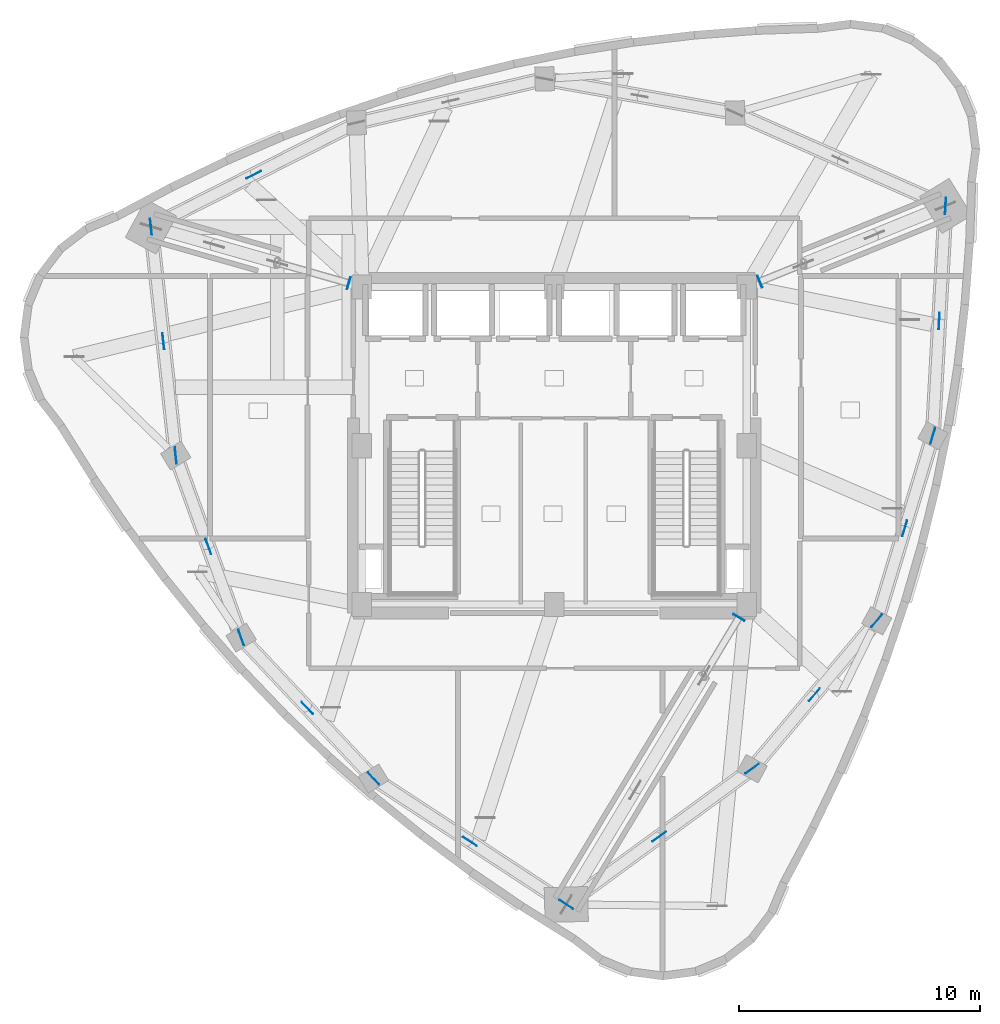
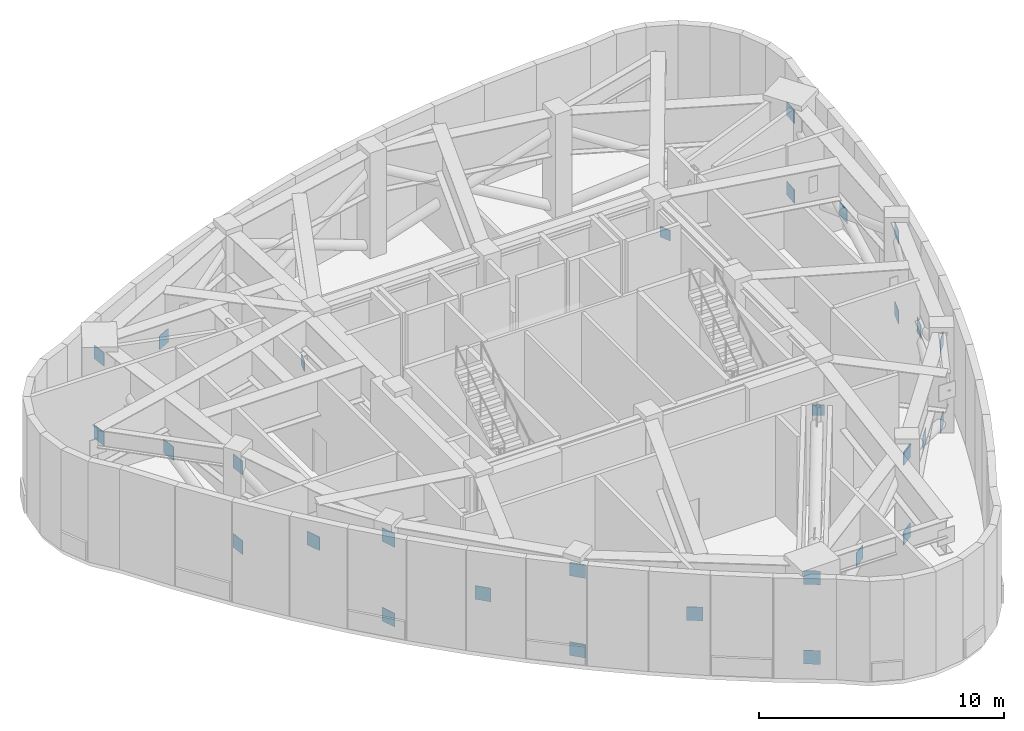
# One storey, part 4 of 10: 30 plates.
"""IFC4 building model written with IfcOpenShell, lengths in metres."""

from ifc_helpers import new_model, si_unit, direction, frame, origin, origin_2d, place, context, subcontext, project, spatial, rectangle, extrude, material, layer, layer_set, type_object, element, save


model = new_model("IFC4")

# Units and contexts
model_context = context("Model", 3, precision=1e-05, world=origin(), true_north=direction((0.0, 1.0)))
body_context = subcontext(model_context, "Body", "Model", "MODEL_VIEW")
ifc_project = project(units=[si_unit("LENGTHUNIT", "METRE"), si_unit("AREAUNIT", "SQUARE_METRE"), si_unit("VOLUMEUNIT", "CUBIC_METRE"), si_unit("PLANEANGLEUNIT", "RADIAN"), si_unit("MASSUNIT", "GRAM", prefix="KILO")], contexts=[model_context])

# Site, building, storey
site_placement = place(None, origin())
site = spatial("IfcSite", under=ifc_project, at=site_placement, CompositionType="ELEMENT")
building_placement = place(site_placement, origin())
building = spatial("IfcBuilding", under=site, at=building_placement, Name="Ndelora Gate Hotel", CompositionType="ELEMENT")
storey_placement = place(building_placement, frame((0.0, 0.0, 254.949951171875)))
storey = spatial("IfcBuildingStorey", under=building, at=storey_placement, Name="L64", CompositionType="ELEMENT", Elevation=254.949951171875)

# Plates
ifc_material = material(Name="Steel S460", Category="steel")
ifc_layer_1 = layer(ifc_material, 0.035888671875)
ifc_layer_set_1 = layer_set([ifc_layer_1], Name="Steel S460")
plate_type_1 = type_object("IfcPlateType", Name="PL-EMBED-EP1", PredefinedType="USERDEFINED", material=ifc_layer_set_1)
for number, where, z_axis, x_axis, name in (
    (1, (-8.5400390625, 6.754150390625, 2.14013671875), (0.0, 0.0, 1.0), (0.274462747688, 0.961597733011, 0.0), "L64 Core shear-wall cast-in embed plate EP1"),
    (2, (7.675048828125, -7.139892578125, 2.5400390625), (0.0, 0.0, 1.0), (-0.856807527438, 0.515636365015, 0.0), "L64 Core shear-wall cast-in embed plate EP1"),
    (3, (8.5400390625, 6.81982421875, 2.5400390625), (0.0, 0.0, 1.0), (-0.377194315187, 0.926134141791, 0.0), "L64 Core shear-wall cast-in embed plate EP1"),
):
    element("IfcPlate", number, at=place(storey_placement, frame(where, z_axis=z_axis, x_axis=x_axis)), inside=storey, type_object=plate_type_1, Name=name, ObjectType="BASE_PLATE", PredefinedType="USERDEFINED", context=body_context, shape_type="SweptSolid", body=[
        extrude(rectangle(XDim=0.52001953125, YDim=0.035888671875, at=origin_2d()), origin(), (0.0, 0.0, 1.0), 0.52001953125),
    ])
ifc_layer_2 = layer(ifc_material, 0.02392578125)
ifc_layer_set_2 = layer_set([ifc_layer_2], Name="Steel S460")
plate_type_2 = type_object("IfcPlateType", Name="PL-NODE-BN3", PredefinedType="USERDEFINED", material=ifc_layer_set_2)
for number, where, z_axis, x_axis, name in (
    (4, (-16.759521484375, 9.099609375, -0.10009765625), (0.0, 0.0, 1.0), (-0.107652324982, 0.994188602291, 0.0), "Node gusset cap plate BN3"),
    (5, (-15.72998046875, -0.411865234375, 3.85986328125), (0.0, 0.0, 1.0), (-0.107652324982, 0.994188602291, 0.0), "Node gusset cap plate BN3"),
    (6, (-15.72998046875, -0.411865234375, -0.10009765625), (0.0, 0.0, 1.0), (-0.107652324982, 0.994188602291, 0.0), "Node gusset cap plate BN3"),
    (7, (-16.759521484375, 9.099609375, 3.85986328125), (0.0, 0.0, 1.0), (-0.107652324982, 0.994188602291, 0.0), "Node gusset cap plate BN3"),
    (8, (-16.24462890625, 4.343994140625, 1.8798828125), (0.0, 0.0, 1.0), (-0.107652324982, 0.994188602291, 0.0), "Node gusset cap plate BN3"),
    (9, (-13.011962890625, -7.973876953125, 3.85986328125), (0.0, 0.0, 1.0), (-0.338245229816, 0.941058002733, 0.0), "Node gusset cap plate BN3"),
    (10, (-13.011962890625, -7.973876953125, -0.10009765625), (0.0, 0.0, 1.0), (-0.338245229816, 0.941058002733, 0.0), "Node gusset cap plate BN3"),
    (11, (-14.37109375, -4.19287109375, 1.8798828125), (0.0, 0.0, 1.0), (-0.338245229816, 0.941058002733, 0.0), "Node gusset cap plate BN3"),
    (12, (-7.50830078125, -13.828369140625, 3.85986328125), (0.0, 0.0, 1.0), (-0.684928699156, 0.728610099486, 0.0), "Node gusset cap plate BN3"),
    (13, (-7.50830078125, -13.828369140625, -0.10009765625), (0.0, 0.0, 1.0), (-0.684928699156, 0.728610099486, 0.0), "Node gusset cap plate BN3"),
    (14, (-10.260009765625, -10.901123046875, 1.8798828125), (0.0, 0.0, 1.0), (-0.684928699156, 0.728610099486, 0.0), "Node gusset cap plate BN3"),
    (15, (0.499267578125, -19.064208984375, 3.85986328125), (0.0, 0.0, 1.0), (-0.836955398099, 0.547271104292, 0.0), "Node gusset cap plate BN3"),
    (16, (0.499267578125, -19.064208984375, -0.10009765625), (0.0, 0.0, 1.0), (-0.836955398099, 0.547271104292, 0.0), "Node gusset cap plate BN3"),
    (17, (-3.50439453125, -16.4462890625, 1.8798828125), (0.0, 0.0, 1.0), (-0.836955398099, 0.547271104292, 0.0), "Node gusset cap plate BN3"),
    (18, (8.223876953125, -13.419921875, 3.85986328125), (0.0, 0.0, 1.0), (0.807475405485, 0.589901237104, 0.0), "Node gusset cap plate BN3"),
    (19, (8.223876953125, -13.419921875, -0.10009765625), (0.0, 0.0, 1.0), (0.807475405485, 0.589901237104, 0.0), "Node gusset cap plate BN3"),
    (20, (4.361572265625, -16.241943359375, 1.8798828125), (0.0, 0.0, 1.0), (0.807475405485, 0.589901237104, 0.0), "Node gusset cap plate BN3"),
    (21, (13.400390625, -7.275634765625, 3.85986328125), (0.0, 0.0, 1.0), (0.64425712392, 0.764808968487, 0.0), "Node gusset cap plate BN3"),
    (22, (13.400390625, -7.275634765625, -0.10009765625), (0.0, 0.0, 1.0), (0.64425712392, 0.764808968487, 0.0), "Node gusset cap plate BN3"),
    (23, (10.81201171875, -10.347900390625, 1.8798828125), (0.0, 0.0, 1.0), (0.64425712392, 0.764808968487, 0.0), "Node gusset cap plate BN3"),
    (24, (15.72998046875, 0.411865234375, 3.85986328125), (0.0, 0.0, 1.0), (0.290034140915, 0.957016299288, 0.0), "Node gusset cap plate BN3"),
    (25, (15.72998046875, 0.411865234375, -0.10009765625), (0.0, 0.0, 1.0), (0.290034140915, 0.957016299288, 0.0), "Node gusset cap plate BN3"),
    (26, (14.565185546875, -3.431884765625, 1.8798828125), (0.0, 0.0, 1.0), (0.290034140915, 0.957016299288, 0.0), "Node gusset cap plate BN3"),
    (27, (16.26025390625, 9.96435546875, 3.85986328125), (0.0, 0.0, 1.0), (0.055472980025, 0.998460188734, 0.0), "Node gusset cap plate BN3"),
    (28, (16.26025390625, 9.96435546875, -0.10009765625), (0.0, 0.0, 1.0), (0.055472980025, 0.998460188734, 0.0), "Node gusset cap plate BN3"),
    (29, (15.9951171875, 5.18798828125, 1.8798828125), (0.0, 0.0, 1.0), (0.055472980025, 0.998460188734, 0.0), "Node gusset cap plate BN3"),
    (30, (-12.490478515625, 11.258056640625, 1.8798828125), (0.0, 0.0, 1.0), (0.892428378124, 0.451189084442, 0.0), "Node gusset cap plate BN3"),
):
    element("IfcPlate", number, at=place(storey_placement, frame(where, z_axis=z_axis, x_axis=x_axis)), inside=storey, type_object=plate_type_2, Name=name, ObjectType="GUSSET_PLATE", PredefinedType="USERDEFINED", context=body_context, shape_type="SweptSolid", body=[
        extrude(rectangle(XDim=0.679931640625, YDim=0.02392578125, at=origin_2d()), origin(), (0.0, 0.0, 1.0), 0.679931640625),
    ])

save(model, "model.ifc")
